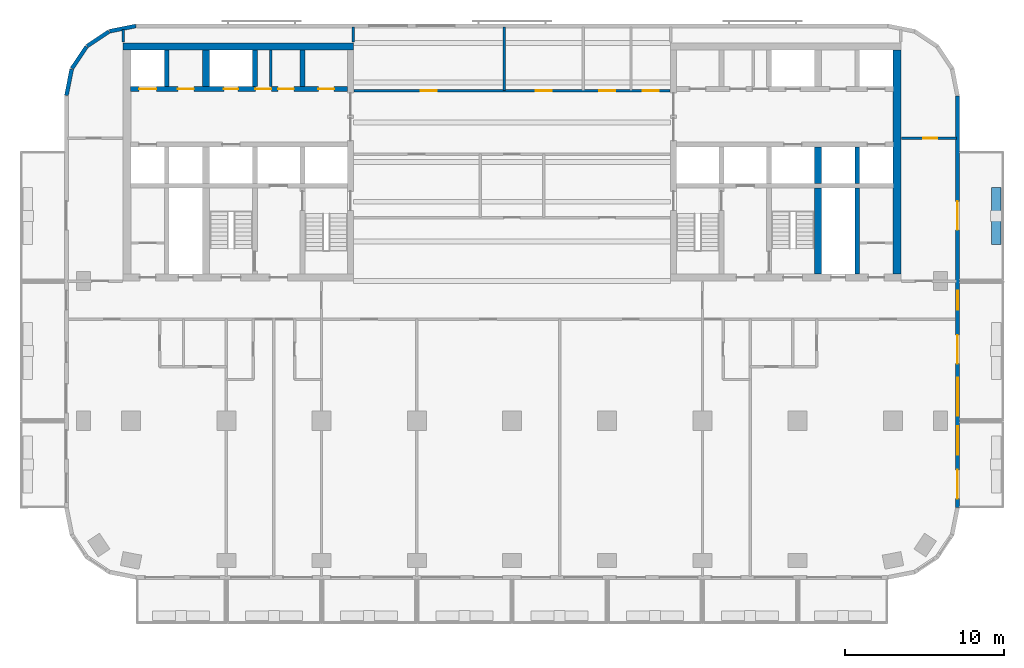
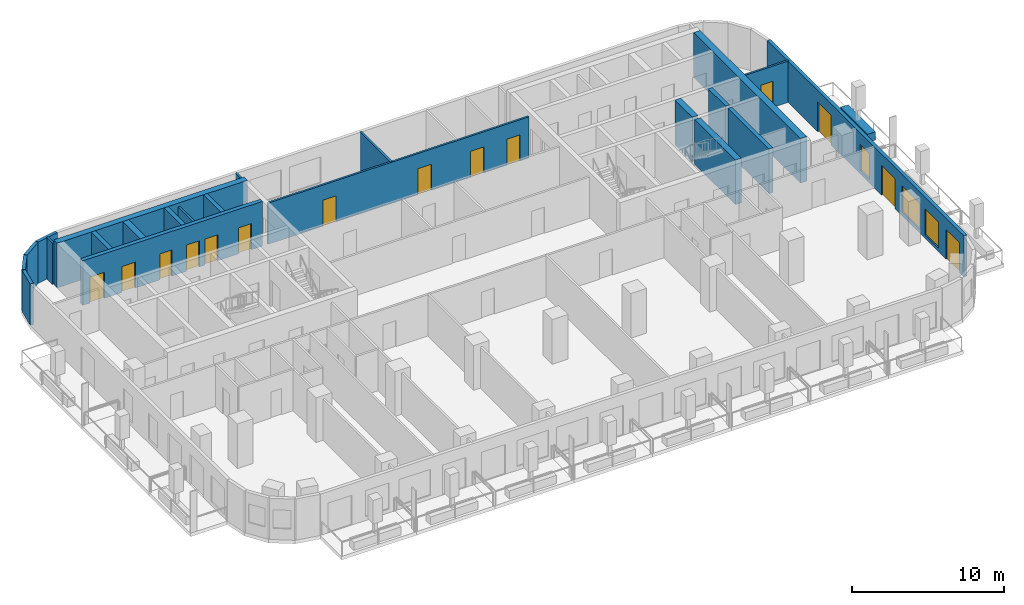
# One storey, part 6 of 11: 23 walls, 14 doors, 3 windows, 17 openings.
"""IFC4 building model written with IfcOpenShell, lengths in metres."""

from ifc_helpers import new_model, si_unit, direction, frame, frame_2d, origin, place, context, subcontext, project, spatial, rectangle, extrude, material, layer, layer_set, type_object, element, fill, save


model = new_model("IFC4")

# Units and contexts
model_context = context("Model", 3, precision=1e-05, world=origin(), true_north=direction((0.0, 1.0)))
body_context = subcontext(model_context, "Body", "Model", "MODEL_VIEW")
ifc_project = project(units=[si_unit("LENGTHUNIT", "METRE"), si_unit("AREAUNIT", "SQUARE_METRE"), si_unit("VOLUMEUNIT", "CUBIC_METRE"), si_unit("PLANEANGLEUNIT", "RADIAN"), si_unit("MASSUNIT", "GRAM", prefix="KILO")], contexts=[model_context])

# Site, building, storey
site_placement = place(None, origin())
site = spatial("IfcSite", under=ifc_project, at=site_placement, CompositionType="ELEMENT")
building_placement = place(site_placement, origin())
building = spatial("IfcBuilding", under=site, at=building_placement, Name="Torana Hotel and Residences", CompositionType="ELEMENT")
storey_placement = place(building_placement, frame((0.0, 0.0, 134.39990234375)))
storey = spatial("IfcBuildingStorey", under=building, at=storey_placement, Name="L34", CompositionType="ELEMENT", Elevation=134.39990234375)

# Wall, openings, doors
ifc_material_1 = material(Name="Concrete C70/85", Category="concrete")
ifc_layer_1 = layer(ifc_material_1, 0.300048828125)
ifc_layer_set_1 = layer_set([ifc_layer_1], Name="CORE WALL 300 C70/85")
wall_type_1 = type_object("IfcWallType", Name="CORE WALL 300 C70/85", PredefinedType="SHEAR", material=ifc_layer_set_1)
wall_1_placement = place(storey_placement, frame((-24.050048828125, -2.89990234375, 0.0), z_axis=(0.0, 0.0, 1.0), x_axis=(1.0, 0.0, 0.0)))
wall_1 = element("IfcWall", 1, at=wall_1_placement, inside=storey, type_object=wall_type_1, Name="Core wall W row-N", PredefinedType="SHEAR", context=body_context, shape_type="SweptSolid", body=[
    extrude(rectangle(XDim=13.699951171875, YDim=0.300048828125, at=frame_2d((6.85009765625, 0.0))), origin(), (0.0, 0.0, 1.0), 3.60009765625),
])
opening_1_placement = place(wall_1_placement, frame((0.550048828125, 0.0, 0.0)))
opening_1 = element("IfcOpeningElement", 2, at=opening_1_placement, cuts=wall_1, Name="Opening LD", PredefinedType="OPENING", context=body_context, shape_type="SweptSolid", body=[
    extrude(rectangle(XDim=1.10009765625, YDim=2.10009765625, at=frame_2d((0.550048828125, 1.050048828125))), frame((0.0, 0.159912109375, 0.0), z_axis=(0.0, -1.0, 0.0), x_axis=(1.0, 0.0, 0.0)), (0.0, 0.0, 1.0), 0.320068359375),
])
opening_2_placement = place(wall_1_placement, frame((5.89990234375, 0.0, 0.0)))
opening_2 = element("IfcOpeningElement", 3, at=opening_2_placement, cuts=wall_1, Name="Opening L34-08", PredefinedType="OPENING", context=body_context, shape_type="SweptSolid", body=[
    extrude(rectangle(XDim=0.89990234375, YDim=2.10009765625, at=frame_2d((0.449951171875, 1.050048828125))), frame((0.0, 0.159912109375, 0.0), z_axis=(0.0, -1.0, 0.0), x_axis=(1.0, 0.0, 0.0)), (0.0, 0.0, 1.0), 0.320068359375),
])
opening_3_placement = place(wall_1_placement, frame((11.85009765625, 0.0, 0.0)))
opening_3 = element("IfcOpeningElement", 4, at=opening_3_placement, cuts=wall_1, Name="Opening L34-09", PredefinedType="OPENING", context=body_context, shape_type="SweptSolid", body=[
    extrude(rectangle(XDim=1.0, YDim=2.10009765625, at=frame_2d((0.5, 1.050048828125))), frame((0.0, 0.159912109375, 0.0), z_axis=(0.0, -1.0, 0.0), x_axis=(1.0, 0.0, 0.0)), (0.0, 0.0, 1.0), 0.320068359375),
])
opening_4_placement = place(wall_1_placement, frame((9.3125, 0.0, 0.0)))
opening_4 = element("IfcOpeningElement", 5, at=opening_4_placement, cuts=wall_1, Name="Opening L34-10", PredefinedType="OPENING", context=body_context, shape_type="SweptSolid", body=[
    extrude(rectangle(XDim=1.0, YDim=2.10009765625, at=frame_2d((0.5, 1.050048828125))), frame((0.0, 0.159912109375, 0.0), z_axis=(0.0, -1.0, 0.0), x_axis=(1.0, 0.0, 0.0)), (0.0, 0.0, 1.0), 0.320068359375),
])
opening_5_placement = place(wall_1_placement, frame((7.887451171875, 0.0, 0.0)))
opening_5 = element("IfcOpeningElement", 6, at=opening_5_placement, cuts=wall_1, Name="Opening L34-11", PredefinedType="OPENING", context=body_context, shape_type="SweptSolid", body=[
    extrude(rectangle(XDim=1.0, YDim=2.10009765625, at=frame_2d((0.5, 1.050048828125))), frame((0.0, 0.159912109375, 0.0), z_axis=(0.0, -1.0, 0.0), x_axis=(1.0, 0.0, 0.0)), (0.0, 0.0, 1.0), 0.320068359375),
])
opening_6_placement = place(wall_1_placement, frame((3.0, 0.0, 0.0)))
opening_6 = element("IfcOpeningElement", 7, at=opening_6_placement, cuts=wall_1, Name="Opening L34-12", PredefinedType="OPENING", context=body_context, shape_type="SweptSolid", body=[
    extrude(rectangle(XDim=1.0, YDim=2.10009765625, at=frame_2d((0.5, 1.050048828125))), frame((0.0, 0.159912109375, 0.0), z_axis=(0.0, -1.0, 0.0), x_axis=(1.0, 0.0, 0.0)), (0.0, 0.0, 1.0), 0.320068359375),
])
ifc_material_2 = material(Name="Steel S235", Category="steel")
door_type_1 = type_object("IfcDoorType", Name="CORE ROOM FIRE DOOR D14 1000x2100", OperationType="SINGLE_SWING_LEFT", PredefinedType="DOOR", material=ifc_material_2)
door_1_placement = place(opening_3_placement, origin())
door_1 = element("IfcDoor", 8, at=door_1_placement, inside=storey, type_object=door_type_1, Name="N0 door L34", OperationType="SINGLE_SWING_RIGHT", OverallHeight=2.10009765625, OverallWidth=1.0, PredefinedType="DOOR", context=body_context, shape_type="SweptSolid", body=[
    extrude(rectangle(XDim=1.0, YDim=2.10009765625, at=frame_2d((0.5, 1.050048828125))), frame((0.0, 0.02490234375, 0.0), z_axis=(0.0, -1.0, 0.0), x_axis=(1.0, 0.0, 0.0)), (0.0, 0.0, 1.0), 0.050048828125),
])
fill(opening_3, door_1)
door_2_placement = place(opening_4_placement, origin())
door_2 = element("IfcDoor", 9, at=door_2_placement, inside=storey, type_object=door_type_1, Name="N1A door L34", OperationType="SINGLE_SWING_RIGHT", OverallHeight=2.10009765625, OverallWidth=1.0, PredefinedType="DOOR", context=body_context, shape_type="SweptSolid", body=[
    extrude(rectangle(XDim=1.0, YDim=2.10009765625, at=frame_2d((0.5, 1.050048828125))), frame((0.0, 0.02490234375, 0.0), z_axis=(0.0, -1.0, 0.0), x_axis=(1.0, 0.0, 0.0)), (0.0, 0.0, 1.0), 0.050048828125),
])
fill(opening_4, door_2)
door_3_placement = place(opening_5_placement, origin())
door_3 = element("IfcDoor", 10, at=door_3_placement, inside=storey, type_object=door_type_1, Name="N1B door L34", OperationType="SINGLE_SWING_RIGHT", OverallHeight=2.10009765625, OverallWidth=1.0, PredefinedType="DOOR", context=body_context, shape_type="SweptSolid", body=[
    extrude(rectangle(XDim=1.0, YDim=2.10009765625, at=frame_2d((0.5, 1.050048828125))), frame((0.0, 0.02490234375, 0.0), z_axis=(0.0, -1.0, 0.0), x_axis=(1.0, 0.0, 0.0)), (0.0, 0.0, 1.0), 0.050048828125),
])
fill(opening_5, door_3)
door_4_placement = place(opening_6_placement, origin())
door_4 = element("IfcDoor", 11, at=door_4_placement, inside=storey, type_object=door_type_1, Name="Freed-S1 door L34", OperationType="SINGLE_SWING_RIGHT", OverallHeight=2.10009765625, OverallWidth=1.0, PredefinedType="DOOR", context=body_context, shape_type="SweptSolid", body=[
    extrude(rectangle(XDim=1.0, YDim=2.10009765625, at=frame_2d((0.5, 1.050048828125))), frame((0.0, 0.02490234375, 0.0), z_axis=(0.0, -1.0, 0.0), x_axis=(1.0, 0.0, 0.0)), (0.0, 0.0, 1.0), 0.050048828125),
])
fill(opening_6, door_4)
ifc_material_3 = material(Name="Stainless steel 316", Category="steel")
door_type_2 = type_object("IfcDoorType", Name="LIFT LANDING DOOR LD 1100x2100", OperationType="DOUBLE_DOOR_SLIDING", PredefinedType="USERDEFINED", material=ifc_material_3)
door_5_placement = place(opening_1_placement, origin())
door_5 = element("IfcDoor", 12, at=door_5_placement, inside=storey, type_object=door_type_2, Name="Lift landing door M1 L34", ObjectType="LIFT LANDING DOOR", OperationType="DOUBLE_DOOR_SLIDING", OverallHeight=2.10009765625, OverallWidth=1.10009765625, PredefinedType="USERDEFINED", context=body_context, shape_type="SweptSolid", body=[
    extrude(rectangle(XDim=1.10009765625, YDim=2.10009765625, at=frame_2d((0.550048828125, 1.050048828125))), frame((0.0, 0.02490234375, 0.0), z_axis=(0.0, -1.0, 0.0), x_axis=(1.0, 0.0, 0.0)), (0.0, 0.0, 1.0), 0.050048828125),
])
fill(opening_1, door_5)
ifc_material_4 = material(Name="Steel S235", Category="steel")
door_type_3 = type_object("IfcDoorType", Name="RISER ACCESS DOOR D5 900x2100", OperationType="SINGLE_SWING_LEFT", PredefinedType="DOOR", material=ifc_material_4)
door_6_placement = place(opening_2_placement, origin())
door_6 = element("IfcDoor", 13, at=door_6_placement, inside=storey, type_object=door_type_3, Name="N2 door L34", OperationType="SINGLE_SWING_RIGHT", OverallHeight=2.10009765625, OverallWidth=0.89990234375, PredefinedType="DOOR", context=body_context, shape_type="SweptSolid", body=[
    extrude(rectangle(XDim=0.89990234375, YDim=2.10009765625, at=frame_2d((0.449951171875, 1.050048828125))), frame((0.0, 0.02490234375, 0.0), z_axis=(0.0, -1.0, 0.0), x_axis=(1.0, 0.0, 0.0)), (0.0, 0.0, 1.0), 0.050048828125),
])
fill(opening_2, door_6)

# Walls
for number, where, z_axis, x_axis, name in (
    (14, (-13.199951171875, -2.75, 0.0), (0.0, 0.0, 1.0), (0.0, 1.0, 0.0), "Core wall W x3.05-N"),
    (15, (-16.199951171875, -2.75, 0.0), (0.0, 0.0, 1.0), (0.0, 1.0, 0.0), "Core wall W x6.05-N"),
    (16, (-21.75, -2.75, 0.0), (0.0, 0.0, 1.0), (0.0, 1.0, 0.0), "Core wall W mm-N"),
    (17, (21.75, -8.85009765625, 0.0), (0.0, 0.0, 1.0), (0.0, 1.0, 0.0), "Core wall E mm-S"),
):
    element("IfcWall", number, at=place(storey_placement, frame(where, z_axis=z_axis, x_axis=x_axis)), inside=storey, type_object=wall_type_1, Name=name, PredefinedType="SHEAR", context=body_context, shape_type="SweptSolid", body=[
        extrude(rectangle(XDim=2.300048828125, YDim=0.300048828125, at=frame_2d((1.14990234375, 0.0))), origin(), (0.0, 0.0, 1.0), 3.60009765625),
    ])
wall_2_placement = place(storey_placement, frame((21.75, -14.550048828125, 0.0), z_axis=(0.0, 0.0, 1.0), x_axis=(0.0, 1.0, 0.0)))
element("IfcWall", 18, at=wall_2_placement, inside=storey, type_object=wall_type_1, Name="Core wall E mm-band", PredefinedType="SHEAR", context=body_context, shape_type="SweptSolid", body=[
    extrude(rectangle(XDim=5.400146484375, YDim=0.300048828125, at=frame_2d((2.7001953125, 0.0))), origin(), (0.0, 0.0, 1.0), 3.60009765625),
])
ifc_material_5 = material(Name="Concrete C70/85", Category="concrete")
ifc_layer_2 = layer(ifc_material_5, 0.449951171875)
ifc_layer_set_2 = layer_set([ifc_layer_2], Name="CORE WALL 450 C70/85")
wall_type_2 = type_object("IfcWallType", Name="CORE WALL 450 C70/85", PredefinedType="SHEAR", material=ifc_layer_set_2)
wall_3_placement = place(storey_placement, frame((-24.5, -0.22509765625, 0.0), z_axis=(0.0, 0.0, 1.0), x_axis=(1.0, 0.0, 0.0)))
element("IfcWall", 19, at=wall_3_placement, inside=storey, type_object=wall_type_2, Name="Core wall W rear", PredefinedType="SHEAR", context=body_context, shape_type="SweptSolid", body=[
    extrude(rectangle(XDim=14.5, YDim=0.449951171875, at=frame_2d((7.25, 0.0))), origin(), (0.0, 0.0, 1.0), 3.60009765625),
])
for number, where, z_axis, x_axis, name in (
    (20, (-19.27490234375, -2.75, 0.0), (0.0, 0.0, 1.0), (0.0, 1.0, 0.0), "Core wall W hm-N"),
    (21, (19.27490234375, -8.85009765625, 0.0), (0.0, 0.0, 1.0), (0.0, 1.0, 0.0), "Core wall E hm-S"),
):
    element("IfcWall", number, at=place(storey_placement, frame(where, z_axis=z_axis, x_axis=x_axis)), inside=storey, type_object=wall_type_2, Name=name, PredefinedType="SHEAR", context=body_context, shape_type="SweptSolid", body=[
        extrude(rectangle(XDim=2.300048828125, YDim=0.449951171875, at=frame_2d((1.14990234375, 0.0))), origin(), (0.0, 0.0, 1.0), 3.60009765625),
    ])
wall_4_placement = place(storey_placement, frame((19.27490234375, -14.550048828125, 0.0), z_axis=(0.0, 0.0, 1.0), x_axis=(0.0, 1.0, 0.0)))
element("IfcWall", 22, at=wall_4_placement, inside=storey, type_object=wall_type_2, Name="Core wall E hm-band", PredefinedType="SHEAR", context=body_context, shape_type="SweptSolid", body=[
    extrude(rectangle(XDim=5.400146484375, YDim=0.449951171875, at=frame_2d((2.7001953125, 0.0))), origin(), (0.0, 0.0, 1.0), 3.60009765625),
])
ifc_material_6 = material(Name="Concrete C70/85", Category="concrete")
ifc_layer_3 = layer(ifc_material_6, 0.5)
ifc_layer_set_3 = layer_set([ifc_layer_3], Name="CORE WALL 500 C70/85")
wall_type_3 = type_object("IfcWallType", Name="CORE WALL 500 C70/85", PredefinedType="SHEAR", material=ifc_layer_set_3)
wall_5_placement = place(storey_placement, frame((24.25, -14.550048828125, 0.0), z_axis=(0.0, 0.0, 1.0), x_axis=(0.0, 1.0, 0.0)))
element("IfcWall", 23, at=wall_5_placement, inside=storey, type_object=wall_type_3, Name="Core wall E outer", PredefinedType="SHEAR", context=body_context, shape_type="SweptSolid", body=[
    extrude(rectangle(XDim=14.10009765625, YDim=0.5, at=frame_2d((7.050048828125, 0.0))), origin(), (0.0, 0.0, 1.0), 3.60009765625),
])
ifc_material_7 = material(Name="Black aluminium composite panel", Category="aluminium")
ifc_layer_4 = layer(ifc_material_7, 0.00390625, Name="Cladding", Category="cladding")
ifc_material_8 = material(Name="Ventilated air cavity")
ifc_layer_5 = layer(ifc_material_8, 0.0400390625, Name="Ventilated cavity", Category="cavity")
ifc_material_9 = material(Name="Mineral wool insulation")
ifc_layer_6 = layer(ifc_material_9, 0.090087890625, Name="Insulation", Category="insulation")
ifc_material_10 = material(Name="Steel S280GD", Category="steel")
ifc_layer_7 = layer(ifc_material_10, 0.092041015625, Name="Steel stud frame", Category="structure")
ifc_material_11 = material(Name="Fire rated plasterboard")
ifc_layer_8 = layer(ifc_material_11, 0.011962890625, Name="Inner board", Category="finish")
ifc_layer_9 = layer(ifc_material_11, 0.011962890625, Name="Second board", Category="finish")
ifc_layer_set_4 = layer_set([ifc_layer_4, ifc_layer_5, ifc_layer_6, ifc_layer_7, ifc_layer_8, ifc_layer_9], Name="EW1 EXTERNAL WALL BLACK METAL CLAD 250")
wall_type_4 = type_object("IfcWallType", Name="EW1 EXTERNAL WALL BLACK METAL CLAD 250", PredefinedType="SOLIDWALL", material=ifc_layer_set_4)
wall_6_placement = place(storey_placement, frame((-23.69970703125, 1.072509765625, 0.0), z_axis=(0.0, 0.0, 1.0), x_axis=(-0.980803419081, -0.194999110559, 0.0)))
element("IfcWall", 24, at=wall_6_placement, inside=storey, type_object=wall_type_4, Name="External wall L34 e0.5", PredefinedType="SOLIDWALL", context=body_context, shape_type="SweptSolid", body=[
    extrude(rectangle(XDim=1.681396484375, YDim=0.25, at=frame_2d((0.8408203125, 0.0))), origin(), (0.0, 0.0, 1.0), 3.320068359375),
])
for number, where, z_axis, x_axis, name in (
    (25, (-25.39404296875, 0.725830078125, 0.0), (0.0, 0.0, 1.0), (-0.831482937015, -0.55555029066, 0.0), "External wall L34 e0.6"),
    (26, (-26.8056640625, -0.228759765625, 0.0), (0.0, 0.0, 1.0), (-0.55555029066, -0.831482937015, 0.0), "External wall L34 e0.7"),
):
    element("IfcWall", number, at=place(storey_placement, frame(where, z_axis=z_axis, x_axis=x_axis)), inside=storey, type_object=wall_type_4, Name=name, PredefinedType="SOLIDWALL", context=body_context, shape_type="SweptSolid", body=[
        extrude(rectangle(XDim=1.65625, YDim=0.25, at=frame_2d((0.828125, 0.0))), origin(), (0.0, 0.0, 1.0), 3.320068359375),
    ])
wall_7_placement = place(storey_placement, frame((-27.74462890625, -1.651123046875, 0.0), z_axis=(0.0, 0.0, 1.0), x_axis=(-0.194999110559, -0.980803419081, 0.0)))
element("IfcWall", 27, at=wall_7_placement, inside=storey, type_object=wall_type_4, Name="External wall L34 e0.8", PredefinedType="SOLIDWALL", context=body_context, shape_type="SweptSolid", body=[
    extrude(rectangle(XDim=1.681396484375, YDim=0.25, at=frame_2d((0.8408203125, 0.0))), origin(), (0.0, 0.0, 1.0), 3.320068359375),
])

# Wall, openings, doors, windows
wall_8_placement = place(storey_placement, frame((28.074951171875, -29.275390625, 0.0), z_axis=(0.0, 0.0, 1.0), x_axis=(0.0, 1.0, 0.0)))
wall_8 = element("IfcWall", 28, at=wall_8_placement, inside=storey, type_object=wall_type_4, Name="External wall L34 e0.19", PredefinedType="SOLIDWALL", context=body_context, shape_type="SweptSolid", body=[
    extrude(rectangle(XDim=25.95068359375, YDim=0.25, at=frame_2d((12.975341796875, 0.0))), origin(), (0.0, 0.0, 1.0), 3.320068359375),
])
opening_7_placement = place(wall_8_placement, frame((0.575439453125, 0.0, 0.0)))
opening_7 = element("IfcOpeningElement", 29, at=opening_7_placement, cuts=wall_8, Name="Opening L34-E09", PredefinedType="OPENING", context=body_context, shape_type="SweptSolid", body=[
    extrude(rectangle(XDim=1.800048828125, YDim=2.39990234375, at=frame_2d((0.89990234375, 1.199951171875))), frame((0.0, 0.135009765625, 0.0), z_axis=(0.0, -1.0, 0.0), x_axis=(1.0, 0.0, 0.0)), (0.0, 0.0, 1.0), 0.27001953125),
])
opening_8_placement = place(wall_8_placement, frame((3.325439453125, 0.0, 0.300048828125)))
opening_8 = element("IfcOpeningElement", 30, at=opening_8_placement, cuts=wall_8, Name="Opening W2", PredefinedType="OPENING", context=body_context, shape_type="SweptSolid", body=[
    extrude(rectangle(XDim=1.800048828125, YDim=2.10009765625, at=frame_2d((0.89990234375, 1.050048828125))), frame((0.0, 0.135009765625, 0.0), z_axis=(0.0, -1.0, 0.0), x_axis=(1.0, 0.0, 0.0)), (0.0, 0.0, 1.0), 0.27001953125),
])
opening_9_placement = place(wall_8_placement, frame((5.775390625, 0.0, 0.300048828125)))
opening_9 = element("IfcOpeningElement", 31, at=opening_9_placement, cuts=wall_8, Name="Opening W1", PredefinedType="OPENING", context=body_context, shape_type="SweptSolid", body=[
    extrude(rectangle(XDim=2.39990234375, YDim=2.10009765625, at=frame_2d((1.199951171875, 1.050048828125))), frame((0.0, 0.135009765625, 0.0), z_axis=(0.0, -1.0, 0.0), x_axis=(1.0, 0.0, 0.0)), (0.0, 0.0, 1.0), 0.27001953125),
])
opening_10_placement = place(wall_8_placement, frame((9.075439453125, 0.0, 0.0)))
opening_10 = element("IfcOpeningElement", 32, at=opening_10_placement, cuts=wall_8, Name="Opening L34-E10", PredefinedType="OPENING", context=body_context, shape_type="SweptSolid", body=[
    extrude(rectangle(XDim=1.800048828125, YDim=2.39990234375, at=frame_2d((0.89990234375, 1.199951171875))), frame((0.0, 0.135009765625, 0.0), z_axis=(0.0, -1.0, 0.0), x_axis=(1.0, 0.0, 0.0)), (0.0, 0.0, 1.0), 0.27001953125),
])
opening_11_placement = place(wall_8_placement, frame((12.475341796875, 0.0, 0.300048828125)))
opening_11 = element("IfcOpeningElement", 33, at=opening_11_placement, cuts=wall_8, Name="Opening W7", PredefinedType="OPENING", context=body_context, shape_type="SweptSolid", body=[
    extrude(rectangle(XDim=1.199951171875, YDim=2.10009765625, at=frame_2d((0.60009765625, 1.050048828125))), frame((0.0, 0.135009765625, 0.0), z_axis=(0.0, -1.0, 0.0), x_axis=(1.0, 0.0, 0.0)), (0.0, 0.0, 1.0), 0.27001953125),
])
opening_12_placement = place(wall_8_placement, frame((17.50048828125, 0.0, 0.0)))
opening_12 = element("IfcOpeningElement", 34, at=opening_12_placement, cuts=wall_8, Name="Opening L34-E11", PredefinedType="OPENING", context=body_context, shape_type="SweptSolid", body=[
    extrude(rectangle(XDim=1.800048828125, YDim=2.39990234375, at=frame_2d((0.89990234375, 1.199951171875))), frame((0.0, 0.135009765625, 0.0), z_axis=(0.0, -1.0, 0.0), x_axis=(1.0, 0.0, 0.0)), (0.0, 0.0, 1.0), 0.27001953125),
])
ifc_material_12 = material(Name="Dark glass in black aluminium frame", Category="aluminium")
door_type_4 = type_object("IfcDoorType", Name="DB1 BALCONY DOOR 1800x2400", OperationType="DOUBLE_DOOR_SINGLE_SWING", PredefinedType="DOOR", material=ifc_material_12)
door_7_placement = place(opening_7_placement, origin())
door_7 = element("IfcDoor", 35, at=door_7_placement, inside=storey, type_object=door_type_4, Name="Balcony door L34", OperationType="DOUBLE_DOOR_SINGLE_SWING", OverallHeight=2.39990234375, OverallWidth=1.800048828125, PredefinedType="DOOR", context=body_context, shape_type="SweptSolid", body=[
    extrude(rectangle(XDim=1.800048828125, YDim=2.39990234375, at=frame_2d((0.89990234375, 1.199951171875))), frame((0.0, 0.02490234375, 0.0), z_axis=(0.0, -1.0, 0.0), x_axis=(1.0, 0.0, 0.0)), (0.0, 0.0, 1.0), 0.050048828125),
])
fill(opening_7, door_7)
door_8_placement = place(opening_10_placement, origin())
door_8 = element("IfcDoor", 36, at=door_8_placement, inside=storey, type_object=door_type_4, Name="Balcony door L34", OperationType="DOUBLE_DOOR_SINGLE_SWING", OverallHeight=2.39990234375, OverallWidth=1.800048828125, PredefinedType="DOOR", context=body_context, shape_type="SweptSolid", body=[
    extrude(rectangle(XDim=1.800048828125, YDim=2.39990234375, at=frame_2d((0.89990234375, 1.199951171875))), frame((0.0, 0.02490234375, 0.0), z_axis=(0.0, -1.0, 0.0), x_axis=(1.0, 0.0, 0.0)), (0.0, 0.0, 1.0), 0.050048828125),
])
fill(opening_10, door_8)
door_9_placement = place(opening_12_placement, origin())
door_9 = element("IfcDoor", 37, at=door_9_placement, inside=storey, type_object=door_type_4, Name="Balcony door L34", OperationType="DOUBLE_DOOR_SINGLE_SWING", OverallHeight=2.39990234375, OverallWidth=1.800048828125, PredefinedType="DOOR", context=body_context, shape_type="SweptSolid", body=[
    extrude(rectangle(XDim=1.800048828125, YDim=2.39990234375, at=frame_2d((0.89990234375, 1.199951171875))), frame((0.0, 0.02490234375, 0.0), z_axis=(0.0, -1.0, 0.0), x_axis=(1.0, 0.0, 0.0)), (0.0, 0.0, 1.0), 0.050048828125),
])
fill(opening_12, door_9)
ifc_material_13 = material(Name="Dark glass in black aluminium frame", Category="aluminium")
window_type_1 = type_object("IfcWindowType", Name="W1 HOTEL ROOM WINDOW 2400x2100", PartitioningType="SINGLE_PANEL", PredefinedType="WINDOW", material=ifc_material_13)
window_1_placement = place(opening_9_placement, origin())
window_1 = element("IfcWindow", 38, at=window_1_placement, inside=storey, type_object=window_type_1, Name="Window L34", OverallHeight=2.10009765625, OverallWidth=2.39990234375, PartitioningType="SINGLE_PANEL", PredefinedType="WINDOW", context=body_context, shape_type="SweptSolid", body=[
    extrude(rectangle(XDim=2.39990234375, YDim=2.10009765625, at=frame_2d((1.199951171875, 1.050048828125))), frame((0.0, 0.030029296875, 0.0), z_axis=(0.0, -1.0, 0.0), x_axis=(1.0, 0.0, 0.0)), (0.0, 0.0, 1.0), 0.06005859375),
])
fill(opening_9, window_1)
ifc_material_14 = material(Name="Dark glass in black aluminium frame", Category="aluminium")
window_type_2 = type_object("IfcWindowType", Name="W2 HOTEL ROOM WINDOW NARROW 1800x2100", PartitioningType="SINGLE_PANEL", PredefinedType="WINDOW", material=ifc_material_14)
window_2_placement = place(opening_8_placement, origin())
window_2 = element("IfcWindow", 39, at=window_2_placement, inside=storey, type_object=window_type_2, Name="Window L34", OverallHeight=2.10009765625, OverallWidth=1.800048828125, PartitioningType="SINGLE_PANEL", PredefinedType="WINDOW", context=body_context, shape_type="SweptSolid", body=[
    extrude(rectangle(XDim=1.800048828125, YDim=2.10009765625, at=frame_2d((0.89990234375, 1.050048828125))), frame((0.0, 0.030029296875, 0.0), z_axis=(0.0, -1.0, 0.0), x_axis=(1.0, 0.0, 0.0)), (0.0, 0.0, 1.0), 0.06005859375),
])
fill(opening_8, window_2)
ifc_material_15 = material(Name="Dark glass in black aluminium frame", Category="aluminium")
window_type_3 = type_object("IfcWindowType", Name="W7 HOTEL CORRIDOR WINDOW 1200x2100", PartitioningType="SINGLE_PANEL", PredefinedType="WINDOW", material=ifc_material_15)
window_3_placement = place(opening_11_placement, origin())
window_3 = element("IfcWindow", 40, at=window_3_placement, inside=storey, type_object=window_type_3, Name="Window L34", OverallHeight=2.10009765625, OverallWidth=1.199951171875, PartitioningType="SINGLE_PANEL", PredefinedType="WINDOW", context=body_context, shape_type="SweptSolid", body=[
    extrude(rectangle(XDim=1.199951171875, YDim=2.10009765625, at=frame_2d((0.60009765625, 1.050048828125))), frame((0.0, 0.030029296875, 0.0), z_axis=(0.0, -1.0, 0.0), x_axis=(1.0, 0.0, 0.0)), (0.0, 0.0, 1.0), 0.06005859375),
])
fill(opening_11, window_3)

# Wall
ifc_material_16 = material(Name="Gypsum plaster")
ifc_layer_10 = layer(ifc_material_16, 0.014892578125, Name="Plaster", Category="finish")
ifc_material_17 = material(Name="Concrete blockwork", Category="masonry")
ifc_layer_11 = layer(ifc_material_17, 0.1201171875, Name="Blockwork", Category="structure")
ifc_layer_12 = layer(ifc_material_16, 0.014892578125, Name="Plaster", Category="finish")
ifc_layer_set_5 = layer_set([ifc_layer_10, ifc_layer_11, ifc_layer_12], Name="FIRE PARTITION 150 BLOCKWORK")
wall_type_5 = type_object("IfcWallType", Name="FIRE PARTITION 150 BLOCKWORK", PredefinedType="PARTITIONING", material=ifc_layer_set_5)
wall_9_placement = place(storey_placement, frame((-15.199951171875, -2.75, 0.0), z_axis=(0.0, 0.0, 1.0), x_axis=(0.0, 1.0, 0.0)))
element("IfcWall", 41, at=wall_9_placement, inside=storey, type_object=wall_type_5, Name="Core partition L34", PredefinedType="PARTITIONING", context=body_context, shape_type="SweptSolid", body=[
    extrude(rectangle(XDim=2.300048828125, YDim=0.14990234375, at=frame_2d((1.14990234375, 0.0))), origin(), (0.0, 0.0, 1.0), 3.300048828125),
])

# Wall, openings, doors
wall_10_placement = place(storey_placement, frame((-9.949951171875, -3.0, 0.0), z_axis=(0.0, 0.0, 1.0), x_axis=(1.0, 0.0, 0.0)))
wall_10 = element("IfcWall", 42, at=wall_10_placement, inside=storey, type_object=wall_type_5, Name="Partition L34", PredefinedType="PARTITIONING", context=body_context, shape_type="SweptSolid", body=[
    extrude(rectangle(XDim=19.89990234375, YDim=0.14990234375, at=frame_2d((9.949951171875, 0.0))), origin(), (0.0, 0.0, 1.0), 3.320068359375),
])
opening_13_placement = place(wall_10_placement, frame((4.199951171875, 0.0, 0.0)))
opening_13 = element("IfcOpeningElement", 43, at=opening_13_placement, cuts=wall_10, Name="Opening L34-47", PredefinedType="OPENING", context=body_context, shape_type="SweptSolid", body=[
    extrude(rectangle(XDim=1.0, YDim=2.10009765625, at=frame_2d((0.5, 1.050048828125))), frame((0.0, 0.0849609375, 0.0), z_axis=(0.0, -1.0, 0.0), x_axis=(1.0, 0.0, 0.0)), (0.0, 0.0, 1.0), 0.169921875),
])
opening_14_placement = place(wall_10_placement, frame((11.449951171875, 0.0, 0.0)))
opening_14 = element("IfcOpeningElement", 44, at=opening_14_placement, cuts=wall_10, Name="Opening L34-48", PredefinedType="OPENING", context=body_context, shape_type="SweptSolid", body=[
    extrude(rectangle(XDim=1.0, YDim=2.10009765625, at=frame_2d((0.5, 1.050048828125))), frame((0.0, 0.0849609375, 0.0), z_axis=(0.0, -1.0, 0.0), x_axis=(1.0, 0.0, 0.0)), (0.0, 0.0, 1.0), 0.169921875),
])
opening_15_placement = place(wall_10_placement, frame((15.449951171875, 0.0, 0.0)))
opening_15 = element("IfcOpeningElement", 45, at=opening_15_placement, cuts=wall_10, Name="Opening L34-49", PredefinedType="OPENING", context=body_context, shape_type="SweptSolid", body=[
    extrude(rectangle(XDim=1.0, YDim=2.10009765625, at=frame_2d((0.5, 1.050048828125))), frame((0.0, 0.0849609375, 0.0), z_axis=(0.0, -1.0, 0.0), x_axis=(1.0, 0.0, 0.0)), (0.0, 0.0, 1.0), 0.169921875),
])
opening_16_placement = place(wall_10_placement, frame((18.199951171875, 0.0, 0.0)))
opening_16 = element("IfcOpeningElement", 46, at=opening_16_placement, cuts=wall_10, Name="Opening L34-50", PredefinedType="OPENING", context=body_context, shape_type="SweptSolid", body=[
    extrude(rectangle(XDim=1.0, YDim=2.10009765625, at=frame_2d((0.5, 1.050048828125))), frame((0.0, 0.0849609375, 0.0), z_axis=(0.0, -1.0, 0.0), x_axis=(1.0, 0.0, 0.0)), (0.0, 0.0, 1.0), 0.169921875),
])
ifc_material_18 = material(Name="Steel S235", Category="steel")
door_type_5 = type_object("IfcDoorType", Name="ENTRY FIRE DOOR D6 1000x2100", OperationType="SINGLE_SWING_LEFT", PredefinedType="DOOR", material=ifc_material_18)
door_10_placement = place(opening_13_placement, origin())
door_10 = element("IfcDoor", 47, at=door_10_placement, inside=storey, type_object=door_type_5, Name="Door L34", OperationType="SINGLE_SWING_RIGHT", OverallHeight=2.10009765625, OverallWidth=1.0, PredefinedType="DOOR", context=body_context, shape_type="SweptSolid", body=[
    extrude(rectangle(XDim=1.0, YDim=2.10009765625, at=frame_2d((0.5, 1.050048828125))), frame((0.0, 0.02490234375, 0.0), z_axis=(0.0, -1.0, 0.0), x_axis=(1.0, 0.0, 0.0)), (0.0, 0.0, 1.0), 0.050048828125),
])
fill(opening_13, door_10)
door_11_placement = place(opening_14_placement, origin())
door_11 = element("IfcDoor", 48, at=door_11_placement, inside=storey, type_object=door_type_5, Name="Door L34", OperationType="SINGLE_SWING_RIGHT", OverallHeight=2.10009765625, OverallWidth=1.0, PredefinedType="DOOR", context=body_context, shape_type="SweptSolid", body=[
    extrude(rectangle(XDim=1.0, YDim=2.10009765625, at=frame_2d((0.5, 1.050048828125))), frame((0.0, 0.02490234375, 0.0), z_axis=(0.0, -1.0, 0.0), x_axis=(1.0, 0.0, 0.0)), (0.0, 0.0, 1.0), 0.050048828125),
])
fill(opening_14, door_11)
door_12_placement = place(opening_15_placement, origin())
door_12 = element("IfcDoor", 49, at=door_12_placement, inside=storey, type_object=door_type_5, Name="Door L34", OperationType="SINGLE_SWING_RIGHT", OverallHeight=2.10009765625, OverallWidth=1.0, PredefinedType="DOOR", context=body_context, shape_type="SweptSolid", body=[
    extrude(rectangle(XDim=1.0, YDim=2.10009765625, at=frame_2d((0.5, 1.050048828125))), frame((0.0, 0.02490234375, 0.0), z_axis=(0.0, -1.0, 0.0), x_axis=(1.0, 0.0, 0.0)), (0.0, 0.0, 1.0), 0.050048828125),
])
fill(opening_15, door_12)
door_13_placement = place(opening_16_placement, origin())
door_13 = element("IfcDoor", 50, at=door_13_placement, inside=storey, type_object=door_type_5, Name="Door L34", OperationType="SINGLE_SWING_RIGHT", OverallHeight=2.10009765625, OverallWidth=1.0, PredefinedType="DOOR", context=body_context, shape_type="SweptSolid", body=[
    extrude(rectangle(XDim=1.0, YDim=2.10009765625, at=frame_2d((0.5, 1.050048828125))), frame((0.0, 0.02490234375, 0.0), z_axis=(0.0, -1.0, 0.0), x_axis=(1.0, 0.0, 0.0)), (0.0, 0.0, 1.0), 0.050048828125),
])
fill(opening_16, door_13)

# Walls
ifc_material_19 = material(Name="Gypsum plasterboard")
ifc_layer_13 = layer(ifc_material_19, 0.012451171875, Name="Plasterboard", Category="finish")
ifc_layer_14 = layer(ifc_material_19, 0.012451171875, Name="Plasterboard", Category="finish")
ifc_layer_15 = layer(ifc_material_10, 0.10009765625, Name="Steel studs with mineral wool", Category="insulation")
ifc_layer_16 = layer(ifc_material_19, 0.012451171875, Name="Plasterboard", Category="finish")
ifc_layer_17 = layer(ifc_material_19, 0.012451171875, Name="Plasterboard", Category="finish")
ifc_layer_set_6 = layer_set([ifc_layer_13, ifc_layer_14, ifc_layer_15, ifc_layer_16, ifc_layer_17], Name="PARTITION 150 PLASTERBOARD")
wall_type_6 = type_object("IfcWallType", Name="PARTITION 150 PLASTERBOARD", PredefinedType="PARTITIONING", material=ifc_layer_set_6)
wall_11_placement = place(storey_placement, frame((-0.5, -3.0, 0.0), z_axis=(0.0, 0.0, 1.0), x_axis=(0.0, 1.0, 0.0)))
element("IfcWall", 51, at=wall_11_placement, inside=storey, type_object=wall_type_6, Name="Partition L34", PredefinedType="PARTITIONING", context=body_context, shape_type="SweptSolid", body=[
    extrude(rectangle(XDim=4.02001953125, YDim=0.14990234375, at=frame_2d((2.010009765625, 0.0))), origin(), (0.0, 0.0, 1.0), 3.320068359375),
])
wall_12_placement = place(storey_placement, frame((-10.0, 0.050048828125, 0.0), z_axis=(0.0, 0.0, 1.0), x_axis=(0.0, 1.0, 0.0)))
element("IfcWall", 52, at=wall_12_placement, inside=storey, type_object=wall_type_6, Name="Partition L34", PredefinedType="PARTITIONING", context=body_context, shape_type="SweptSolid", body=[
    extrude(rectangle(XDim=0.969970703125, YDim=0.14990234375, at=frame_2d((0.48486328125, 0.0))), origin(), (0.0, 0.0, 1.0), 3.320068359375),
])
wall_13_placement = place(storey_placement, frame((-24.5, 0.050048828125, 0.0), z_axis=(0.0, 0.0, 1.0), x_axis=(0.0, 1.0, 0.0)))
element("IfcWall", 53, at=wall_13_placement, inside=storey, type_object=wall_type_6, Name="Partition L34", PredefinedType="PARTITIONING", context=body_context, shape_type="SweptSolid", body=[
    extrude(rectangle(XDim=0.807373046875, YDim=0.14990234375, at=frame_2d((0.40380859375, 0.0))), origin(), (0.0, 0.0, 1.0), 3.320068359375),
])

# Wall, opening, door
wall_14_placement = place(storey_placement, frame((24.550048828125, -6.0, 0.0), z_axis=(0.0, 0.0, 1.0), x_axis=(1.0, 0.0, 0.0)))
wall_14 = element("IfcWall", 54, at=wall_14_placement, inside=storey, type_object=wall_type_6, Name="Partition L34", PredefinedType="PARTITIONING", context=body_context, shape_type="SweptSolid", body=[
    extrude(rectangle(XDim=3.469970703125, YDim=0.14990234375, at=frame_2d((1.73486328125, 0.0))), origin(), (0.0, 0.0, 1.0), 3.320068359375),
])
opening_17_placement = place(wall_14_placement, frame((1.35009765625, 0.0, 0.0)))
opening_17 = element("IfcOpeningElement", 55, at=opening_17_placement, cuts=wall_14, Name="Opening L34-59", PredefinedType="OPENING", context=body_context, shape_type="SweptSolid", body=[
    extrude(rectangle(XDim=0.89990234375, YDim=2.10009765625, at=frame_2d((0.449951171875, 1.050048828125))), frame((0.0, 0.0849609375, 0.0), z_axis=(0.0, -1.0, 0.0), x_axis=(1.0, 0.0, 0.0)), (0.0, 0.0, 1.0), 0.169921875),
])
ifc_material_20 = material(Name="Timber door, oiled ash", Category="wood")
door_type_6 = type_object("IfcDoorType", Name="ROOM DOOR D7 900x2100", OperationType="SINGLE_SWING_LEFT", PredefinedType="DOOR", material=ifc_material_20)
door_14_placement = place(opening_17_placement, origin())
door_14 = element("IfcDoor", 56, at=door_14_placement, inside=storey, type_object=door_type_6, Name="Door L34", OperationType="SINGLE_SWING_LEFT", OverallHeight=2.10009765625, OverallWidth=0.89990234375, PredefinedType="DOOR", context=body_context, shape_type="SweptSolid", body=[
    extrude(rectangle(XDim=0.89990234375, YDim=2.10009765625, at=frame_2d((0.449951171875, 1.050048828125))), frame((0.0, 0.02490234375, 0.0), z_axis=(0.0, -1.0, 0.0), x_axis=(1.0, 0.0, 0.0)), (0.0, 0.0, 1.0), 0.050048828125),
])
fill(opening_17, door_14)

# Wall
ifc_material_21 = material(Name="Concrete C40/50 precast", Category="concrete")
ifc_layer_18 = layer(ifc_material_21, 0.10009765625, Name="Planter shell", Category="structure")
ifc_material_22 = material(Name="Root resistant membrane")
ifc_layer_19 = layer(ifc_material_22, 0.00390625, Name="Waterproofing membrane", Category="membrane")
ifc_material_23 = material(Name="Drainage board with filter fleece")
ifc_layer_20 = layer(ifc_material_23, 0.02001953125, Name="Drainage board", Category="drainage")
ifc_material_24 = material(Name="Growing medium")
ifc_layer_21 = layer(ifc_material_24, 0.47607421875, Name="Planting substrate", Category="soil")
ifc_layer_set_7 = layer_set([ifc_layer_18, ifc_layer_19, ifc_layer_20, ifc_layer_21], Name="PL1 BALCONY PLANTER 600")
wall_type_7 = type_object("IfcWallType", Name="PL1 BALCONY PLANTER 600", PredefinedType="USERDEFINED", material=ifc_layer_set_7)
wall_15_placement = place(storey_placement, frame((30.5, -9.10009765625, 0.0), z_axis=(0.0, 0.0, 1.0), x_axis=(0.0, -1.0, 0.0)))
element("IfcWall", 57, at=wall_15_placement, inside=storey, type_object=wall_type_7, Name="Planter 14", ObjectType="PLANTER", PredefinedType="USERDEFINED", context=body_context, shape_type="SweptSolid", body=[
    extrude(rectangle(XDim=3.599853515625, YDim=0.60009765625, at=frame_2d((1.7998046875, 0.0))), origin(), (0.0, 0.0, 1.0), 0.650146484375),
])

save(model, "model.ifc")
